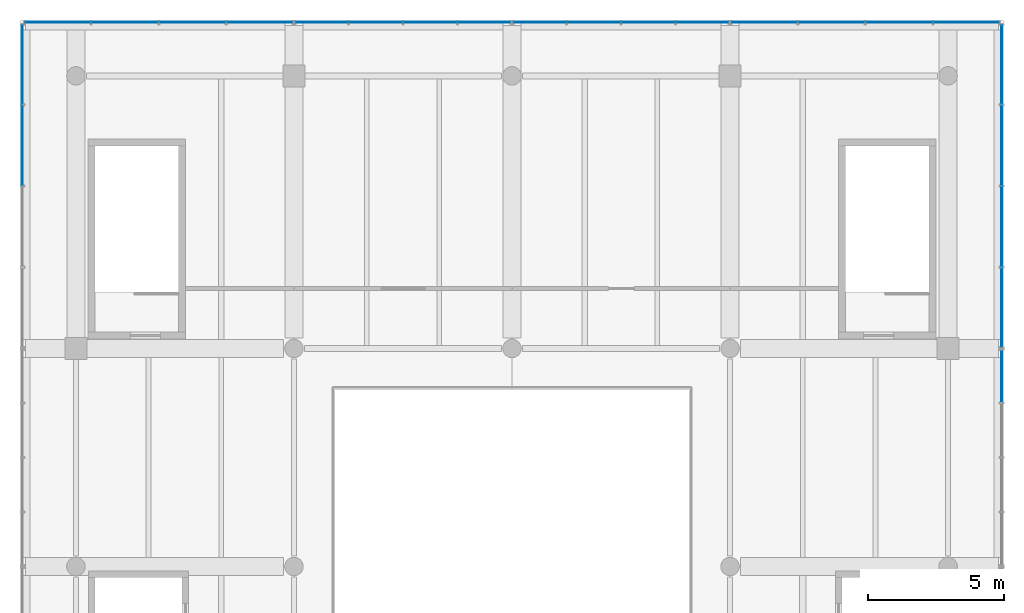
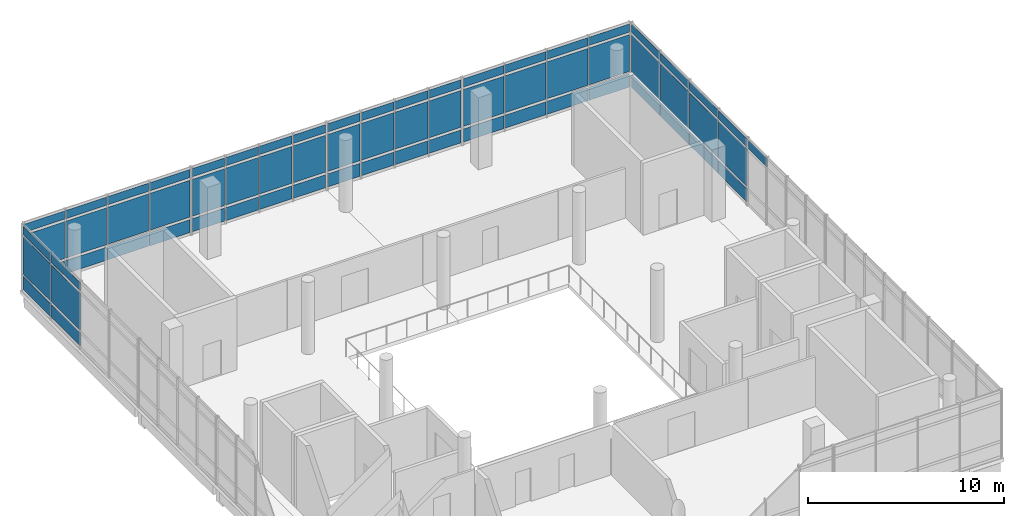
# One storey, part 12 of 15: 67 plates, 7 elements without a shape of their own.
"""IFC4 building model written with IfcOpenShell, lengths in metres."""

from ifc_helpers import new_model, si_unit, direction, frame, origin, origin_2d, place, context, subcontext, project, spatial, rectangle, extrude, material, layer, layer_set, type_object, element, aggregate, save


model = new_model("IFC4")

# Units and contexts
model_context = context("Model", 3, precision=1e-05, world=origin(), true_north=direction((0.0, 1.0)))
body_context = subcontext(model_context, "Body", "Model", "MODEL_VIEW")
ifc_project = project(units=[si_unit("LENGTHUNIT", "METRE"), si_unit("AREAUNIT", "SQUARE_METRE"), si_unit("VOLUMEUNIT", "CUBIC_METRE"), si_unit("PLANEANGLEUNIT", "RADIAN"), si_unit("MASSUNIT", "GRAM", prefix="KILO")], contexts=[model_context])

# Site, building, storey
site_placement = place(None, origin())
site = spatial("IfcSite", under=ifc_project, at=site_placement, CompositionType="ELEMENT")
building_placement = place(site_placement, origin())
building = spatial("IfcBuilding", under=site, at=building_placement, Name="Pecanmere Concourse Central Library", CompositionType="ELEMENT")
storey_placement = place(building_placement, frame((0.0, 0.0, 30.300048828125)))
storey = spatial("IfcBuildingStorey", under=building, at=storey_placement, Name="L07", CompositionType="ELEMENT", Elevation=30.300048828125)

# Curtain wall, plates
ifc_material_1 = material(Name="Anodized bronze aluminium alloy 6063-T6", Category="aluminium")
curtain_wall_type = type_object("IfcCurtainWallType", Name="CW_PLUMB_BANDED", PredefinedType="USERDEFINED", material=ifc_material_1)
curtain_wall_1_placement = place(storey_placement, origin())
curtain_wall_1 = element("IfcCurtainWall", 1, at=curtain_wall_1_placement, inside=storey, type_object=curtain_wall_type, Name="Unitised Curtain Wall CW-02 L07-085", ObjectType="UNITISED CURTAIN WALL", PredefinedType="USERDEFINED")
ifc_material_2 = material(Name="White ceramic-fritted insulated spandrel glazing", Category="glass")
ifc_layer_1 = layer(ifc_material_2, 0.053955078125, Name="CWP_SPN_54")
ifc_layer_set_1 = layer_set([ifc_layer_1], Name="White ceramic-fritted insulated spandrel glazing")
plate_type_1 = type_object("IfcPlateType", Name="CWP_SPN_54", PredefinedType="CURTAIN_PANEL", material=ifc_layer_set_1)
plate_1_placement = place(storey_placement, frame((104.665771484375, 125.96142578125, 0.159912109375), z_axis=(0.0, 0.0, 1.0), x_axis=(-1.0, 0.0, 0.0)))
plate_1 = element("IfcPlate", 2, at=plate_1_placement, type_object=plate_type_1, Name="CW-02 Spandrel Panel 1.1", PredefinedType="CURTAIN_PANEL", context=body_context, shape_type="SweptSolid", body=[
    extrude(rectangle(XDim=2.381591796875, YDim=0.035888671875, at=origin_2d()), origin(), (0.0, 0.0, 1.0), 0.81005859375),
])
plate_2_placement = place(storey_placement, frame((102.202880859375, 125.96142578125, 0.159912109375), z_axis=(0.0, 0.0, 1.0), x_axis=(-1.0, 0.0, 0.0)))
plate_2 = element("IfcPlate", 3, at=plate_2_placement, type_object=plate_type_1, Name="CW-02 Spandrel Panel 2.1", PredefinedType="CURTAIN_PANEL", context=body_context, shape_type="SweptSolid", body=[
    extrude(rectangle(XDim=2.4140625, YDim=0.035888671875, at=origin_2d()), origin(), (0.0, 0.0, 1.0), 0.81005859375),
])
plate_3_placement = place(storey_placement, frame((99.7236328125, 125.96142578125, 0.159912109375), z_axis=(0.0, 0.0, 1.0), x_axis=(-1.0, 0.0, 0.0)))
plate_3 = element("IfcPlate", 4, at=plate_3_placement, type_object=plate_type_1, Name="CW-02 Spandrel Panel 3.1", PredefinedType="CURTAIN_PANEL", context=body_context, shape_type="SweptSolid", body=[
    extrude(rectangle(XDim=2.4140625, YDim=0.035888671875, at=origin_2d()), origin(), (0.0, 0.0, 1.0), 0.81005859375),
])
plate_4_placement = place(storey_placement, frame((97.2607421875, 125.96142578125, 0.159912109375), z_axis=(0.0, 0.0, 1.0), x_axis=(-1.0, 0.0, 0.0)))
plate_4 = element("IfcPlate", 5, at=plate_4_placement, type_object=plate_type_1, Name="CW-02 Spandrel Panel 4.1", PredefinedType="CURTAIN_PANEL", context=body_context, shape_type="SweptSolid", body=[
    extrude(rectangle(XDim=2.381591796875, YDim=0.035888671875, at=origin_2d()), origin(), (0.0, 0.0, 1.0), 0.81005859375),
])

curtain_wall_2_placement = place(storey_placement, origin())
curtain_wall_2 = element("IfcCurtainWall", 6, at=curtain_wall_2_placement, inside=storey, type_object=curtain_wall_type, Name="Unitised Curtain Wall CW-02 L07-086", ObjectType="UNITISED CURTAIN WALL", PredefinedType="USERDEFINED")
plate_5_placement = place(storey_placement, frame((94.97998046875, 125.96142578125, 0.159912109375), z_axis=(0.0, 0.0, 1.0), x_axis=(-1.0, 0.0, 0.0)))
plate_5 = element("IfcPlate", 7, at=plate_5_placement, type_object=plate_type_1, Name="CW-02 Spandrel Panel 1.1", PredefinedType="CURTAIN_PANEL", context=body_context, shape_type="SweptSolid", body=[
    extrude(rectangle(XDim=1.89990234375, YDim=0.035888671875, at=origin_2d()), origin(), (0.0, 0.0, 1.0), 0.81005859375),
])
plate_6_placement = place(storey_placement, frame((92.998779296875, 125.96142578125, 0.159912109375), z_axis=(0.0, 0.0, 1.0), x_axis=(-1.0, 0.0, 0.0)))
plate_6 = element("IfcPlate", 8, at=plate_6_placement, type_object=plate_type_1, Name="CW-02 Spandrel Panel 2.1", PredefinedType="CURTAIN_PANEL", context=body_context, shape_type="SweptSolid", body=[
    extrude(rectangle(XDim=1.9326171875, YDim=0.035888671875, at=origin_2d()), origin(), (0.0, 0.0, 1.0), 0.81005859375),
])
plate_7_placement = place(storey_placement, frame((91.001220703125, 125.96142578125, 0.159912109375), z_axis=(0.0, 0.0, 1.0), x_axis=(-1.0, 0.0, 0.0)))
plate_7 = element("IfcPlate", 9, at=plate_7_placement, type_object=plate_type_1, Name="CW-02 Spandrel Panel 3.1", PredefinedType="CURTAIN_PANEL", context=body_context, shape_type="SweptSolid", body=[
    extrude(rectangle(XDim=1.9326171875, YDim=0.035888671875, at=origin_2d()), origin(), (0.0, 0.0, 1.0), 0.81005859375),
])
plate_8_placement = place(storey_placement, frame((89.02001953125, 125.96142578125, 0.159912109375), z_axis=(0.0, 0.0, 1.0), x_axis=(-1.0, 0.0, 0.0)))
plate_8 = element("IfcPlate", 10, at=plate_8_placement, type_object=plate_type_1, Name="CW-02 Spandrel Panel 4.1", PredefinedType="CURTAIN_PANEL", context=body_context, shape_type="SweptSolid", body=[
    extrude(rectangle(XDim=1.89990234375, YDim=0.035888671875, at=origin_2d()), origin(), (0.0, 0.0, 1.0), 0.81005859375),
])

curtain_wall_3_placement = place(storey_placement, origin())
curtain_wall_3 = element("IfcCurtainWall", 11, at=curtain_wall_3_placement, inside=storey, type_object=curtain_wall_type, Name="Unitised Curtain Wall CW-02 L07-087", ObjectType="UNITISED CURTAIN WALL", PredefinedType="USERDEFINED")
plate_9_placement = place(storey_placement, frame((86.97998046875, 125.96142578125, 0.159912109375), z_axis=(0.0, 0.0, 1.0), x_axis=(-1.0, 0.0, 0.0)))
plate_9 = element("IfcPlate", 12, at=plate_9_placement, type_object=plate_type_1, Name="CW-02 Spandrel Panel 1.1", PredefinedType="CURTAIN_PANEL", context=body_context, shape_type="SweptSolid", body=[
    extrude(rectangle(XDim=1.89990234375, YDim=0.035888671875, at=origin_2d()), origin(), (0.0, 0.0, 1.0), 0.81005859375),
])
plate_10_placement = place(storey_placement, frame((84.998779296875, 125.96142578125, 0.159912109375), z_axis=(0.0, 0.0, 1.0), x_axis=(-1.0, 0.0, 0.0)))
plate_10 = element("IfcPlate", 13, at=plate_10_placement, type_object=plate_type_1, Name="CW-02 Spandrel Panel 2.1", PredefinedType="CURTAIN_PANEL", context=body_context, shape_type="SweptSolid", body=[
    extrude(rectangle(XDim=1.9326171875, YDim=0.035888671875, at=origin_2d()), origin(), (0.0, 0.0, 1.0), 0.81005859375),
])
plate_11_placement = place(storey_placement, frame((83.001220703125, 125.96142578125, 0.159912109375), z_axis=(0.0, 0.0, 1.0), x_axis=(-1.0, 0.0, 0.0)))
plate_11 = element("IfcPlate", 14, at=plate_11_placement, type_object=plate_type_1, Name="CW-02 Spandrel Panel 3.1", PredefinedType="CURTAIN_PANEL", context=body_context, shape_type="SweptSolid", body=[
    extrude(rectangle(XDim=1.9326171875, YDim=0.035888671875, at=origin_2d()), origin(), (0.0, 0.0, 1.0), 0.81005859375),
])
plate_12_placement = place(storey_placement, frame((81.02001953125, 125.96142578125, 0.159912109375), z_axis=(0.0, 0.0, 1.0), x_axis=(-1.0, 0.0, 0.0)))
plate_12 = element("IfcPlate", 15, at=plate_12_placement, type_object=plate_type_1, Name="CW-02 Spandrel Panel 4.1", PredefinedType="CURTAIN_PANEL", context=body_context, shape_type="SweptSolid", body=[
    extrude(rectangle(XDim=1.89990234375, YDim=0.035888671875, at=origin_2d()), origin(), (0.0, 0.0, 1.0), 0.81005859375),
])

curtain_wall_4_placement = place(storey_placement, origin())
curtain_wall_4 = element("IfcCurtainWall", 16, at=curtain_wall_4_placement, inside=storey, type_object=curtain_wall_type, Name="Unitised Curtain Wall CW-02 L07-088", ObjectType="UNITISED CURTAIN WALL", PredefinedType="USERDEFINED")
plate_13_placement = place(storey_placement, frame((78.7392578125, 125.96142578125, 0.159912109375), z_axis=(0.0, 0.0, 1.0), x_axis=(-1.0, 0.0, 0.0)))
plate_13 = element("IfcPlate", 17, at=plate_13_placement, type_object=plate_type_1, Name="CW-02 Spandrel Panel 1.1", PredefinedType="CURTAIN_PANEL", context=body_context, shape_type="SweptSolid", body=[
    extrude(rectangle(XDim=2.381591796875, YDim=0.035888671875, at=origin_2d()), origin(), (0.0, 0.0, 1.0), 0.81005859375),
])
plate_14_placement = place(storey_placement, frame((76.2763671875, 125.96142578125, 0.159912109375), z_axis=(0.0, 0.0, 1.0), x_axis=(-1.0, 0.0, 0.0)))
plate_14 = element("IfcPlate", 18, at=plate_14_placement, type_object=plate_type_1, Name="CW-02 Spandrel Panel 2.1", PredefinedType="CURTAIN_PANEL", context=body_context, shape_type="SweptSolid", body=[
    extrude(rectangle(XDim=2.4140625, YDim=0.035888671875, at=origin_2d()), origin(), (0.0, 0.0, 1.0), 0.81005859375),
])
plate_15_placement = place(storey_placement, frame((73.797119140625, 125.96142578125, 0.159912109375), z_axis=(0.0, 0.0, 1.0), x_axis=(-1.0, 0.0, 0.0)))
plate_15 = element("IfcPlate", 19, at=plate_15_placement, type_object=plate_type_1, Name="CW-02 Spandrel Panel 3.1", PredefinedType="CURTAIN_PANEL", context=body_context, shape_type="SweptSolid", body=[
    extrude(rectangle(XDim=2.4140625, YDim=0.035888671875, at=origin_2d()), origin(), (0.0, 0.0, 1.0), 0.81005859375),
])
plate_16_placement = place(storey_placement, frame((71.334228515625, 125.96142578125, 0.159912109375), z_axis=(0.0, 0.0, 1.0), x_axis=(-1.0, 0.0, 0.0)))
plate_16 = element("IfcPlate", 20, at=plate_16_placement, type_object=plate_type_1, Name="CW-02 Spandrel Panel 4.1", PredefinedType="CURTAIN_PANEL", context=body_context, shape_type="SweptSolid", body=[
    extrude(rectangle(XDim=2.381591796875, YDim=0.035888671875, at=origin_2d()), origin(), (0.0, 0.0, 1.0), 0.81005859375),
])

curtain_wall_5_placement = place(storey_placement, origin())
curtain_wall_5 = element("IfcCurtainWall", 21, at=curtain_wall_5_placement, inside=storey, type_object=curtain_wall_type, Name="Unitised Curtain Wall CW-02 L07-096", ObjectType="UNITISED CURTAIN WALL", PredefinedType="USERDEFINED")
plate_17_placement = place(storey_placement, frame((105.96142578125, 115.5107421875, 0.159912109375), z_axis=(0.0, 0.0, 1.0), x_axis=(0.0, 1.0, 0.0)))
plate_17 = element("IfcPlate", 22, at=plate_17_placement, type_object=plate_type_1, Name="CW-02 Spandrel Panel 1.1", PredefinedType="CURTAIN_PANEL", context=body_context, shape_type="SweptSolid", body=[
    extrude(rectangle(XDim=2.881591796875, YDim=0.035888671875, at=origin_2d()), origin(), (0.0, 0.0, 1.0), 0.81005859375),
])
plate_18_placement = place(storey_placement, frame((105.96142578125, 118.4736328125, 0.159912109375), z_axis=(0.0, 0.0, 1.0), x_axis=(0.0, 1.0, 0.0)))
plate_18 = element("IfcPlate", 23, at=plate_18_placement, type_object=plate_type_1, Name="CW-02 Spandrel Panel 2.1", PredefinedType="CURTAIN_PANEL", context=body_context, shape_type="SweptSolid", body=[
    extrude(rectangle(XDim=2.9140625, YDim=0.035888671875, at=origin_2d()), origin(), (0.0, 0.0, 1.0), 0.81005859375),
])
plate_19_placement = place(storey_placement, frame((105.96142578125, 121.452880859375, 0.159912109375), z_axis=(0.0, 0.0, 1.0), x_axis=(0.0, 1.0, 0.0)))
plate_19 = element("IfcPlate", 24, at=plate_19_placement, type_object=plate_type_1, Name="CW-02 Spandrel Panel 3.1", PredefinedType="CURTAIN_PANEL", context=body_context, shape_type="SweptSolid", body=[
    extrude(rectangle(XDim=2.9140625, YDim=0.035888671875, at=origin_2d()), origin(), (0.0, 0.0, 1.0), 0.81005859375),
])
plate_20_placement = place(storey_placement, frame((105.96142578125, 124.415771484375, 0.159912109375), z_axis=(0.0, 0.0, 1.0), x_axis=(0.0, 1.0, 0.0)))
plate_20 = element("IfcPlate", 25, at=plate_20_placement, type_object=plate_type_1, Name="CW-02 Spandrel Panel 4.1", PredefinedType="CURTAIN_PANEL", context=body_context, shape_type="SweptSolid", body=[
    extrude(rectangle(XDim=2.881591796875, YDim=0.035888671875, at=origin_2d()), origin(), (0.0, 0.0, 1.0), 0.81005859375),
])

curtain_wall_6_placement = place(storey_placement, origin())
curtain_wall_6 = element("IfcCurtainWall", 26, at=curtain_wall_6_placement, inside=storey, type_object=curtain_wall_type, Name="Unitised Curtain Wall CW-02 L07-097", ObjectType="UNITISED CURTAIN WALL", PredefinedType="USERDEFINED")
plate_21_placement = place(storey_placement, frame((70.03857421875, 124.415771484375, 0.159912109375), z_axis=(0.0, 0.0, 1.0), x_axis=(0.0, -1.0, 0.0)))
plate_21 = element("IfcPlate", 27, at=plate_21_placement, type_object=plate_type_1, Name="CW-02 Spandrel Panel 1.1", PredefinedType="CURTAIN_PANEL", context=body_context, shape_type="SweptSolid", body=[
    extrude(rectangle(XDim=2.881591796875, YDim=0.035888671875, at=origin_2d()), origin(), (0.0, 0.0, 1.0), 0.81005859375),
])
plate_22_placement = place(storey_placement, frame((70.03857421875, 121.452880859375, 0.159912109375), z_axis=(0.0, 0.0, 1.0), x_axis=(0.0, -1.0, 0.0)))
plate_22 = element("IfcPlate", 28, at=plate_22_placement, type_object=plate_type_1, Name="CW-02 Spandrel Panel 2.1", PredefinedType="CURTAIN_PANEL", context=body_context, shape_type="SweptSolid", body=[
    extrude(rectangle(XDim=2.9140625, YDim=0.035888671875, at=origin_2d()), origin(), (0.0, 0.0, 1.0), 0.81005859375),
])

# Plate
ifc_material_3 = material(Name="Low-iron clear insulated glazing", Category="glass")
ifc_layer_2 = layer(ifc_material_3, 0.035888671875, Name="CWP_VIS_36")
ifc_layer_set_2 = layer_set([ifc_layer_2], Name="Low-iron clear insulated glazing")
plate_type_2 = type_object("IfcPlateType", Name="CWP_VIS_36", PredefinedType="CURTAIN_PANEL", material=ifc_layer_set_2)
plate_23_placement = place(storey_placement, frame((104.665771484375, 125.96142578125, 1.1298828125), z_axis=(0.0, 0.0, 1.0), x_axis=(-1.0, 0.0, 0.0)))
plate_23 = element("IfcPlate", 29, at=plate_23_placement, type_object=plate_type_2, Name="CW-02 Vision Panel 1.2", PredefinedType="CURTAIN_PANEL", context=body_context, shape_type="SweptSolid", body=[
    extrude(rectangle(XDim=2.381591796875, YDim=0.035888671875, at=origin_2d()), origin(), (0.0, 0.0, 1.0), 2.300048828125),
])

plate_24_placement = place(storey_placement, frame((104.665771484375, 125.96142578125, 3.58984375), z_axis=(0.0, 0.0, 1.0), x_axis=(-1.0, 0.0, 0.0)))
plate_24 = element("IfcPlate", 30, at=plate_24_placement, type_object=plate_type_2, Name="CW-02 Vision Panel 1.3", PredefinedType="CURTAIN_PANEL", context=body_context, shape_type="SweptSolid", body=[
    extrude(rectangle(XDim=2.381591796875, YDim=0.035888671875, at=origin_2d()), origin(), (0.0, 0.0, 1.0), 0.510009765625),
])

plate_25_placement = place(storey_placement, frame((102.202880859375, 125.96142578125, 1.1298828125), z_axis=(0.0, 0.0, 1.0), x_axis=(-1.0, 0.0, 0.0)))
plate_25 = element("IfcPlate", 31, at=plate_25_placement, type_object=plate_type_2, Name="CW-02 Vision Panel 2.2", PredefinedType="CURTAIN_PANEL", context=body_context, shape_type="SweptSolid", body=[
    extrude(rectangle(XDim=2.4140625, YDim=0.035888671875, at=origin_2d()), origin(), (0.0, 0.0, 1.0), 2.300048828125),
])

plate_26_placement = place(storey_placement, frame((102.202880859375, 125.96142578125, 3.58984375), z_axis=(0.0, 0.0, 1.0), x_axis=(-1.0, 0.0, 0.0)))
plate_26 = element("IfcPlate", 32, at=plate_26_placement, type_object=plate_type_2, Name="CW-02 Vision Panel 2.3", PredefinedType="CURTAIN_PANEL", context=body_context, shape_type="SweptSolid", body=[
    extrude(rectangle(XDim=2.4140625, YDim=0.035888671875, at=origin_2d()), origin(), (0.0, 0.0, 1.0), 0.510009765625),
])

plate_27_placement = place(storey_placement, frame((99.7236328125, 125.96142578125, 1.1298828125), z_axis=(0.0, 0.0, 1.0), x_axis=(-1.0, 0.0, 0.0)))
plate_27 = element("IfcPlate", 33, at=plate_27_placement, type_object=plate_type_2, Name="CW-02 Vision Panel 3.2", PredefinedType="CURTAIN_PANEL", context=body_context, shape_type="SweptSolid", body=[
    extrude(rectangle(XDim=2.4140625, YDim=0.035888671875, at=origin_2d()), origin(), (0.0, 0.0, 1.0), 2.300048828125),
])

plate_28_placement = place(storey_placement, frame((99.7236328125, 125.96142578125, 3.58984375), z_axis=(0.0, 0.0, 1.0), x_axis=(-1.0, 0.0, 0.0)))
plate_28 = element("IfcPlate", 34, at=plate_28_placement, type_object=plate_type_2, Name="CW-02 Vision Panel 3.3", PredefinedType="CURTAIN_PANEL", context=body_context, shape_type="SweptSolid", body=[
    extrude(rectangle(XDim=2.4140625, YDim=0.035888671875, at=origin_2d()), origin(), (0.0, 0.0, 1.0), 0.510009765625),
])

plate_29_placement = place(storey_placement, frame((97.2607421875, 125.96142578125, 1.1298828125), z_axis=(0.0, 0.0, 1.0), x_axis=(-1.0, 0.0, 0.0)))
plate_29 = element("IfcPlate", 35, at=plate_29_placement, type_object=plate_type_2, Name="CW-02 Vision Panel 4.2", PredefinedType="CURTAIN_PANEL", context=body_context, shape_type="SweptSolid", body=[
    extrude(rectangle(XDim=2.381591796875, YDim=0.035888671875, at=origin_2d()), origin(), (0.0, 0.0, 1.0), 2.300048828125),
])

plate_30_placement = place(storey_placement, frame((97.2607421875, 125.96142578125, 3.58984375), z_axis=(0.0, 0.0, 1.0), x_axis=(-1.0, 0.0, 0.0)))
plate_30 = element("IfcPlate", 36, at=plate_30_placement, type_object=plate_type_2, Name="CW-02 Vision Panel 4.3", PredefinedType="CURTAIN_PANEL", context=body_context, shape_type="SweptSolid", body=[
    extrude(rectangle(XDim=2.381591796875, YDim=0.035888671875, at=origin_2d()), origin(), (0.0, 0.0, 1.0), 0.510009765625),
])

aggregate(curtain_wall_1, [plate_1, plate_23, plate_24, plate_2, plate_25, plate_26, plate_3, plate_27, plate_28, plate_4, plate_29, plate_30])

plate_31_placement = place(storey_placement, frame((94.97998046875, 125.96142578125, 1.1298828125), z_axis=(0.0, 0.0, 1.0), x_axis=(-1.0, 0.0, 0.0)))
plate_31 = element("IfcPlate", 37, at=plate_31_placement, type_object=plate_type_2, Name="CW-02 Vision Panel 1.2", PredefinedType="CURTAIN_PANEL", context=body_context, shape_type="SweptSolid", body=[
    extrude(rectangle(XDim=1.89990234375, YDim=0.035888671875, at=origin_2d()), origin(), (0.0, 0.0, 1.0), 2.300048828125),
])

plate_32_placement = place(storey_placement, frame((94.97998046875, 125.96142578125, 3.58984375), z_axis=(0.0, 0.0, 1.0), x_axis=(-1.0, 0.0, 0.0)))
plate_32 = element("IfcPlate", 38, at=plate_32_placement, type_object=plate_type_2, Name="CW-02 Vision Panel 1.3", PredefinedType="CURTAIN_PANEL", context=body_context, shape_type="SweptSolid", body=[
    extrude(rectangle(XDim=1.89990234375, YDim=0.035888671875, at=origin_2d()), origin(), (0.0, 0.0, 1.0), 0.510009765625),
])

plate_33_placement = place(storey_placement, frame((92.998779296875, 125.96142578125, 1.1298828125), z_axis=(0.0, 0.0, 1.0), x_axis=(-1.0, 0.0, 0.0)))
plate_33 = element("IfcPlate", 39, at=plate_33_placement, type_object=plate_type_2, Name="CW-02 Vision Panel 2.2", PredefinedType="CURTAIN_PANEL", context=body_context, shape_type="SweptSolid", body=[
    extrude(rectangle(XDim=1.9326171875, YDim=0.035888671875, at=origin_2d()), origin(), (0.0, 0.0, 1.0), 2.300048828125),
])

plate_34_placement = place(storey_placement, frame((92.998779296875, 125.96142578125, 3.58984375), z_axis=(0.0, 0.0, 1.0), x_axis=(-1.0, 0.0, 0.0)))
plate_34 = element("IfcPlate", 40, at=plate_34_placement, type_object=plate_type_2, Name="CW-02 Vision Panel 2.3", PredefinedType="CURTAIN_PANEL", context=body_context, shape_type="SweptSolid", body=[
    extrude(rectangle(XDim=1.9326171875, YDim=0.035888671875, at=origin_2d()), origin(), (0.0, 0.0, 1.0), 0.510009765625),
])

plate_35_placement = place(storey_placement, frame((91.001220703125, 125.96142578125, 1.1298828125), z_axis=(0.0, 0.0, 1.0), x_axis=(-1.0, 0.0, 0.0)))
plate_35 = element("IfcPlate", 41, at=plate_35_placement, type_object=plate_type_2, Name="CW-02 Vision Panel 3.2", PredefinedType="CURTAIN_PANEL", context=body_context, shape_type="SweptSolid", body=[
    extrude(rectangle(XDim=1.9326171875, YDim=0.035888671875, at=origin_2d()), origin(), (0.0, 0.0, 1.0), 2.300048828125),
])

plate_36_placement = place(storey_placement, frame((91.001220703125, 125.96142578125, 3.58984375), z_axis=(0.0, 0.0, 1.0), x_axis=(-1.0, 0.0, 0.0)))
plate_36 = element("IfcPlate", 42, at=plate_36_placement, type_object=plate_type_2, Name="CW-02 Vision Panel 3.3", PredefinedType="CURTAIN_PANEL", context=body_context, shape_type="SweptSolid", body=[
    extrude(rectangle(XDim=1.9326171875, YDim=0.035888671875, at=origin_2d()), origin(), (0.0, 0.0, 1.0), 0.510009765625),
])

plate_37_placement = place(storey_placement, frame((89.02001953125, 125.96142578125, 1.1298828125), z_axis=(0.0, 0.0, 1.0), x_axis=(-1.0, 0.0, 0.0)))
plate_37 = element("IfcPlate", 43, at=plate_37_placement, type_object=plate_type_2, Name="CW-02 Vision Panel 4.2", PredefinedType="CURTAIN_PANEL", context=body_context, shape_type="SweptSolid", body=[
    extrude(rectangle(XDim=1.89990234375, YDim=0.035888671875, at=origin_2d()), origin(), (0.0, 0.0, 1.0), 2.300048828125),
])

plate_38_placement = place(storey_placement, frame((89.02001953125, 125.96142578125, 3.58984375), z_axis=(0.0, 0.0, 1.0), x_axis=(-1.0, 0.0, 0.0)))
plate_38 = element("IfcPlate", 44, at=plate_38_placement, type_object=plate_type_2, Name="CW-02 Vision Panel 4.3", PredefinedType="CURTAIN_PANEL", context=body_context, shape_type="SweptSolid", body=[
    extrude(rectangle(XDim=1.89990234375, YDim=0.035888671875, at=origin_2d()), origin(), (0.0, 0.0, 1.0), 0.510009765625),
])

aggregate(curtain_wall_2, [plate_5, plate_31, plate_32, plate_6, plate_33, plate_34, plate_7, plate_35, plate_36, plate_8, plate_37, plate_38])

plate_39_placement = place(storey_placement, frame((86.97998046875, 125.96142578125, 1.1298828125), z_axis=(0.0, 0.0, 1.0), x_axis=(-1.0, 0.0, 0.0)))
plate_39 = element("IfcPlate", 45, at=plate_39_placement, type_object=plate_type_2, Name="CW-02 Vision Panel 1.2", PredefinedType="CURTAIN_PANEL", context=body_context, shape_type="SweptSolid", body=[
    extrude(rectangle(XDim=1.89990234375, YDim=0.035888671875, at=origin_2d()), origin(), (0.0, 0.0, 1.0), 2.300048828125),
])

plate_40_placement = place(storey_placement, frame((86.97998046875, 125.96142578125, 3.58984375), z_axis=(0.0, 0.0, 1.0), x_axis=(-1.0, 0.0, 0.0)))
plate_40 = element("IfcPlate", 46, at=plate_40_placement, type_object=plate_type_2, Name="CW-02 Vision Panel 1.3", PredefinedType="CURTAIN_PANEL", context=body_context, shape_type="SweptSolid", body=[
    extrude(rectangle(XDim=1.89990234375, YDim=0.035888671875, at=origin_2d()), origin(), (0.0, 0.0, 1.0), 0.510009765625),
])

plate_41_placement = place(storey_placement, frame((84.998779296875, 125.96142578125, 1.1298828125), z_axis=(0.0, 0.0, 1.0), x_axis=(-1.0, 0.0, 0.0)))
plate_41 = element("IfcPlate", 47, at=plate_41_placement, type_object=plate_type_2, Name="CW-02 Vision Panel 2.2", PredefinedType="CURTAIN_PANEL", context=body_context, shape_type="SweptSolid", body=[
    extrude(rectangle(XDim=1.9326171875, YDim=0.035888671875, at=origin_2d()), origin(), (0.0, 0.0, 1.0), 2.300048828125),
])

plate_42_placement = place(storey_placement, frame((84.998779296875, 125.96142578125, 3.58984375), z_axis=(0.0, 0.0, 1.0), x_axis=(-1.0, 0.0, 0.0)))
plate_42 = element("IfcPlate", 48, at=plate_42_placement, type_object=plate_type_2, Name="CW-02 Vision Panel 2.3", PredefinedType="CURTAIN_PANEL", context=body_context, shape_type="SweptSolid", body=[
    extrude(rectangle(XDim=1.9326171875, YDim=0.035888671875, at=origin_2d()), origin(), (0.0, 0.0, 1.0), 0.510009765625),
])

plate_43_placement = place(storey_placement, frame((83.001220703125, 125.96142578125, 1.1298828125), z_axis=(0.0, 0.0, 1.0), x_axis=(-1.0, 0.0, 0.0)))
plate_43 = element("IfcPlate", 49, at=plate_43_placement, type_object=plate_type_2, Name="CW-02 Vision Panel 3.2", PredefinedType="CURTAIN_PANEL", context=body_context, shape_type="SweptSolid", body=[
    extrude(rectangle(XDim=1.9326171875, YDim=0.035888671875, at=origin_2d()), origin(), (0.0, 0.0, 1.0), 2.300048828125),
])

plate_44_placement = place(storey_placement, frame((83.001220703125, 125.96142578125, 3.58984375), z_axis=(0.0, 0.0, 1.0), x_axis=(-1.0, 0.0, 0.0)))
plate_44 = element("IfcPlate", 50, at=plate_44_placement, type_object=plate_type_2, Name="CW-02 Vision Panel 3.3", PredefinedType="CURTAIN_PANEL", context=body_context, shape_type="SweptSolid", body=[
    extrude(rectangle(XDim=1.9326171875, YDim=0.035888671875, at=origin_2d()), origin(), (0.0, 0.0, 1.0), 0.510009765625),
])

plate_45_placement = place(storey_placement, frame((81.02001953125, 125.96142578125, 1.1298828125), z_axis=(0.0, 0.0, 1.0), x_axis=(-1.0, 0.0, 0.0)))
plate_45 = element("IfcPlate", 51, at=plate_45_placement, type_object=plate_type_2, Name="CW-02 Vision Panel 4.2", PredefinedType="CURTAIN_PANEL", context=body_context, shape_type="SweptSolid", body=[
    extrude(rectangle(XDim=1.89990234375, YDim=0.035888671875, at=origin_2d()), origin(), (0.0, 0.0, 1.0), 2.300048828125),
])

plate_46_placement = place(storey_placement, frame((81.02001953125, 125.96142578125, 3.58984375), z_axis=(0.0, 0.0, 1.0), x_axis=(-1.0, 0.0, 0.0)))
plate_46 = element("IfcPlate", 52, at=plate_46_placement, type_object=plate_type_2, Name="CW-02 Vision Panel 4.3", PredefinedType="CURTAIN_PANEL", context=body_context, shape_type="SweptSolid", body=[
    extrude(rectangle(XDim=1.89990234375, YDim=0.035888671875, at=origin_2d()), origin(), (0.0, 0.0, 1.0), 0.510009765625),
])

aggregate(curtain_wall_3, [plate_9, plate_39, plate_40, plate_10, plate_41, plate_42, plate_11, plate_43, plate_44, plate_12, plate_45, plate_46])

plate_47_placement = place(storey_placement, frame((78.7392578125, 125.96142578125, 1.1298828125), z_axis=(0.0, 0.0, 1.0), x_axis=(-1.0, 0.0, 0.0)))
plate_47 = element("IfcPlate", 53, at=plate_47_placement, type_object=plate_type_2, Name="CW-02 Vision Panel 1.2", PredefinedType="CURTAIN_PANEL", context=body_context, shape_type="SweptSolid", body=[
    extrude(rectangle(XDim=2.381591796875, YDim=0.035888671875, at=origin_2d()), origin(), (0.0, 0.0, 1.0), 2.300048828125),
])

plate_48_placement = place(storey_placement, frame((78.7392578125, 125.96142578125, 3.58984375), z_axis=(0.0, 0.0, 1.0), x_axis=(-1.0, 0.0, 0.0)))
plate_48 = element("IfcPlate", 54, at=plate_48_placement, type_object=plate_type_2, Name="CW-02 Vision Panel 1.3", PredefinedType="CURTAIN_PANEL", context=body_context, shape_type="SweptSolid", body=[
    extrude(rectangle(XDim=2.381591796875, YDim=0.035888671875, at=origin_2d()), origin(), (0.0, 0.0, 1.0), 0.510009765625),
])

plate_49_placement = place(storey_placement, frame((76.2763671875, 125.96142578125, 1.1298828125), z_axis=(0.0, 0.0, 1.0), x_axis=(-1.0, 0.0, 0.0)))
plate_49 = element("IfcPlate", 55, at=plate_49_placement, type_object=plate_type_2, Name="CW-02 Vision Panel 2.2", PredefinedType="CURTAIN_PANEL", context=body_context, shape_type="SweptSolid", body=[
    extrude(rectangle(XDim=2.4140625, YDim=0.035888671875, at=origin_2d()), origin(), (0.0, 0.0, 1.0), 2.300048828125),
])

plate_50_placement = place(storey_placement, frame((76.2763671875, 125.96142578125, 3.58984375), z_axis=(0.0, 0.0, 1.0), x_axis=(-1.0, 0.0, 0.0)))
plate_50 = element("IfcPlate", 56, at=plate_50_placement, type_object=plate_type_2, Name="CW-02 Vision Panel 2.3", PredefinedType="CURTAIN_PANEL", context=body_context, shape_type="SweptSolid", body=[
    extrude(rectangle(XDim=2.4140625, YDim=0.035888671875, at=origin_2d()), origin(), (0.0, 0.0, 1.0), 0.510009765625),
])

plate_51_placement = place(storey_placement, frame((73.797119140625, 125.96142578125, 1.1298828125), z_axis=(0.0, 0.0, 1.0), x_axis=(-1.0, 0.0, 0.0)))
plate_51 = element("IfcPlate", 57, at=plate_51_placement, type_object=plate_type_2, Name="CW-02 Vision Panel 3.2", PredefinedType="CURTAIN_PANEL", context=body_context, shape_type="SweptSolid", body=[
    extrude(rectangle(XDim=2.4140625, YDim=0.035888671875, at=origin_2d()), origin(), (0.0, 0.0, 1.0), 2.300048828125),
])

plate_52_placement = place(storey_placement, frame((73.797119140625, 125.96142578125, 3.58984375), z_axis=(0.0, 0.0, 1.0), x_axis=(-1.0, 0.0, 0.0)))
plate_52 = element("IfcPlate", 58, at=plate_52_placement, type_object=plate_type_2, Name="CW-02 Vision Panel 3.3", PredefinedType="CURTAIN_PANEL", context=body_context, shape_type="SweptSolid", body=[
    extrude(rectangle(XDim=2.4140625, YDim=0.035888671875, at=origin_2d()), origin(), (0.0, 0.0, 1.0), 0.510009765625),
])

plate_53_placement = place(storey_placement, frame((71.334228515625, 125.96142578125, 1.1298828125), z_axis=(0.0, 0.0, 1.0), x_axis=(-1.0, 0.0, 0.0)))
plate_53 = element("IfcPlate", 59, at=plate_53_placement, type_object=plate_type_2, Name="CW-02 Vision Panel 4.2", PredefinedType="CURTAIN_PANEL", context=body_context, shape_type="SweptSolid", body=[
    extrude(rectangle(XDim=2.381591796875, YDim=0.035888671875, at=origin_2d()), origin(), (0.0, 0.0, 1.0), 2.300048828125),
])

plate_54_placement = place(storey_placement, frame((71.334228515625, 125.96142578125, 3.58984375), z_axis=(0.0, 0.0, 1.0), x_axis=(-1.0, 0.0, 0.0)))
plate_54 = element("IfcPlate", 60, at=plate_54_placement, type_object=plate_type_2, Name="CW-02 Vision Panel 4.3", PredefinedType="CURTAIN_PANEL", context=body_context, shape_type="SweptSolid", body=[
    extrude(rectangle(XDim=2.381591796875, YDim=0.035888671875, at=origin_2d()), origin(), (0.0, 0.0, 1.0), 0.510009765625),
])

aggregate(curtain_wall_4, [plate_13, plate_47, plate_48, plate_14, plate_49, plate_50, plate_15, plate_51, plate_52, plate_16, plate_53, plate_54])

# Curtain wall, plate
curtain_wall_7_placement = place(storey_placement, origin())
curtain_wall_7 = element("IfcCurtainWall", 61, at=curtain_wall_7_placement, inside=storey, type_object=curtain_wall_type, Name="Unitised Curtain Wall CW-02 L07-095", ObjectType="UNITISED CURTAIN WALL", PredefinedType="USERDEFINED")
plate_55_placement = place(storey_placement, frame((105.96142578125, 112.97998046875, 3.58984375), z_axis=(0.0, 0.0, 1.0), x_axis=(0.0, 1.0, 0.0)))
plate_55 = element("IfcPlate", 62, at=plate_55_placement, type_object=plate_type_2, Name="CW-02 Vision Panel 4.3", PredefinedType="CURTAIN_PANEL", context=body_context, shape_type="SweptSolid", body=[
    extrude(rectangle(XDim=1.89990234375, YDim=0.035888671875, at=origin_2d()), origin(), (0.0, 0.0, 1.0), 0.510009765625),
])
aggregate(curtain_wall_7, [plate_55])

# Plate
plate_56_placement = place(storey_placement, frame((105.96142578125, 115.5107421875, 1.1298828125), z_axis=(0.0, 0.0, 1.0), x_axis=(0.0, 1.0, 0.0)))
plate_56 = element("IfcPlate", 63, at=plate_56_placement, type_object=plate_type_2, Name="CW-02 Vision Panel 1.2", PredefinedType="CURTAIN_PANEL", context=body_context, shape_type="SweptSolid", body=[
    extrude(rectangle(XDim=2.881591796875, YDim=0.035888671875, at=origin_2d()), origin(), (0.0, 0.0, 1.0), 2.300048828125),
])

plate_57_placement = place(storey_placement, frame((105.96142578125, 115.5107421875, 3.58984375), z_axis=(0.0, 0.0, 1.0), x_axis=(0.0, 1.0, 0.0)))
plate_57 = element("IfcPlate", 64, at=plate_57_placement, type_object=plate_type_2, Name="CW-02 Vision Panel 1.3", PredefinedType="CURTAIN_PANEL", context=body_context, shape_type="SweptSolid", body=[
    extrude(rectangle(XDim=2.881591796875, YDim=0.035888671875, at=origin_2d()), origin(), (0.0, 0.0, 1.0), 0.510009765625),
])

plate_58_placement = place(storey_placement, frame((105.96142578125, 118.4736328125, 1.1298828125), z_axis=(0.0, 0.0, 1.0), x_axis=(0.0, 1.0, 0.0)))
plate_58 = element("IfcPlate", 65, at=plate_58_placement, type_object=plate_type_2, Name="CW-02 Vision Panel 2.2", PredefinedType="CURTAIN_PANEL", context=body_context, shape_type="SweptSolid", body=[
    extrude(rectangle(XDim=2.9140625, YDim=0.035888671875, at=origin_2d()), origin(), (0.0, 0.0, 1.0), 2.300048828125),
])

plate_59_placement = place(storey_placement, frame((105.96142578125, 118.4736328125, 3.58984375), z_axis=(0.0, 0.0, 1.0), x_axis=(0.0, 1.0, 0.0)))
plate_59 = element("IfcPlate", 66, at=plate_59_placement, type_object=plate_type_2, Name="CW-02 Vision Panel 2.3", PredefinedType="CURTAIN_PANEL", context=body_context, shape_type="SweptSolid", body=[
    extrude(rectangle(XDim=2.9140625, YDim=0.035888671875, at=origin_2d()), origin(), (0.0, 0.0, 1.0), 0.510009765625),
])

plate_60_placement = place(storey_placement, frame((105.96142578125, 121.452880859375, 1.1298828125), z_axis=(0.0, 0.0, 1.0), x_axis=(0.0, 1.0, 0.0)))
plate_60 = element("IfcPlate", 67, at=plate_60_placement, type_object=plate_type_2, Name="CW-02 Vision Panel 3.2", PredefinedType="CURTAIN_PANEL", context=body_context, shape_type="SweptSolid", body=[
    extrude(rectangle(XDim=2.9140625, YDim=0.035888671875, at=origin_2d()), origin(), (0.0, 0.0, 1.0), 2.300048828125),
])

plate_61_placement = place(storey_placement, frame((105.96142578125, 121.452880859375, 3.58984375), z_axis=(0.0, 0.0, 1.0), x_axis=(0.0, 1.0, 0.0)))
plate_61 = element("IfcPlate", 68, at=plate_61_placement, type_object=plate_type_2, Name="CW-02 Vision Panel 3.3", PredefinedType="CURTAIN_PANEL", context=body_context, shape_type="SweptSolid", body=[
    extrude(rectangle(XDim=2.9140625, YDim=0.035888671875, at=origin_2d()), origin(), (0.0, 0.0, 1.0), 0.510009765625),
])

plate_62_placement = place(storey_placement, frame((105.96142578125, 124.415771484375, 1.1298828125), z_axis=(0.0, 0.0, 1.0), x_axis=(0.0, 1.0, 0.0)))
plate_62 = element("IfcPlate", 69, at=plate_62_placement, type_object=plate_type_2, Name="CW-02 Vision Panel 4.2", PredefinedType="CURTAIN_PANEL", context=body_context, shape_type="SweptSolid", body=[
    extrude(rectangle(XDim=2.881591796875, YDim=0.035888671875, at=origin_2d()), origin(), (0.0, 0.0, 1.0), 2.300048828125),
])

plate_63_placement = place(storey_placement, frame((105.96142578125, 124.415771484375, 3.58984375), z_axis=(0.0, 0.0, 1.0), x_axis=(0.0, 1.0, 0.0)))
plate_63 = element("IfcPlate", 70, at=plate_63_placement, type_object=plate_type_2, Name="CW-02 Vision Panel 4.3", PredefinedType="CURTAIN_PANEL", context=body_context, shape_type="SweptSolid", body=[
    extrude(rectangle(XDim=2.881591796875, YDim=0.035888671875, at=origin_2d()), origin(), (0.0, 0.0, 1.0), 0.510009765625),
])

aggregate(curtain_wall_5, [plate_17, plate_56, plate_57, plate_18, plate_58, plate_59, plate_19, plate_60, plate_61, plate_20, plate_62, plate_63])

plate_64_placement = place(storey_placement, frame((70.03857421875, 124.415771484375, 1.1298828125), z_axis=(0.0, 0.0, 1.0), x_axis=(0.0, -1.0, 0.0)))
plate_64 = element("IfcPlate", 71, at=plate_64_placement, type_object=plate_type_2, Name="CW-02 Vision Panel 1.2", PredefinedType="CURTAIN_PANEL", context=body_context, shape_type="SweptSolid", body=[
    extrude(rectangle(XDim=2.881591796875, YDim=0.035888671875, at=origin_2d()), origin(), (0.0, 0.0, 1.0), 2.300048828125),
])

plate_65_placement = place(storey_placement, frame((70.03857421875, 124.415771484375, 3.58984375), z_axis=(0.0, 0.0, 1.0), x_axis=(0.0, -1.0, 0.0)))
plate_65 = element("IfcPlate", 72, at=plate_65_placement, type_object=plate_type_2, Name="CW-02 Vision Panel 1.3", PredefinedType="CURTAIN_PANEL", context=body_context, shape_type="SweptSolid", body=[
    extrude(rectangle(XDim=2.881591796875, YDim=0.035888671875, at=origin_2d()), origin(), (0.0, 0.0, 1.0), 0.510009765625),
])

plate_66_placement = place(storey_placement, frame((70.03857421875, 121.452880859375, 1.1298828125), z_axis=(0.0, 0.0, 1.0), x_axis=(0.0, -1.0, 0.0)))
plate_66 = element("IfcPlate", 73, at=plate_66_placement, type_object=plate_type_2, Name="CW-02 Vision Panel 2.2", PredefinedType="CURTAIN_PANEL", context=body_context, shape_type="SweptSolid", body=[
    extrude(rectangle(XDim=2.9140625, YDim=0.035888671875, at=origin_2d()), origin(), (0.0, 0.0, 1.0), 2.300048828125),
])

plate_67_placement = place(storey_placement, frame((70.03857421875, 121.452880859375, 3.58984375), z_axis=(0.0, 0.0, 1.0), x_axis=(0.0, -1.0, 0.0)))
plate_67 = element("IfcPlate", 74, at=plate_67_placement, type_object=plate_type_2, Name="CW-02 Vision Panel 2.3", PredefinedType="CURTAIN_PANEL", context=body_context, shape_type="SweptSolid", body=[
    extrude(rectangle(XDim=2.9140625, YDim=0.035888671875, at=origin_2d()), origin(), (0.0, 0.0, 1.0), 0.510009765625),
])

aggregate(curtain_wall_6, [plate_21, plate_64, plate_65, plate_22, plate_66, plate_67])

save(model, "model.ifc")
